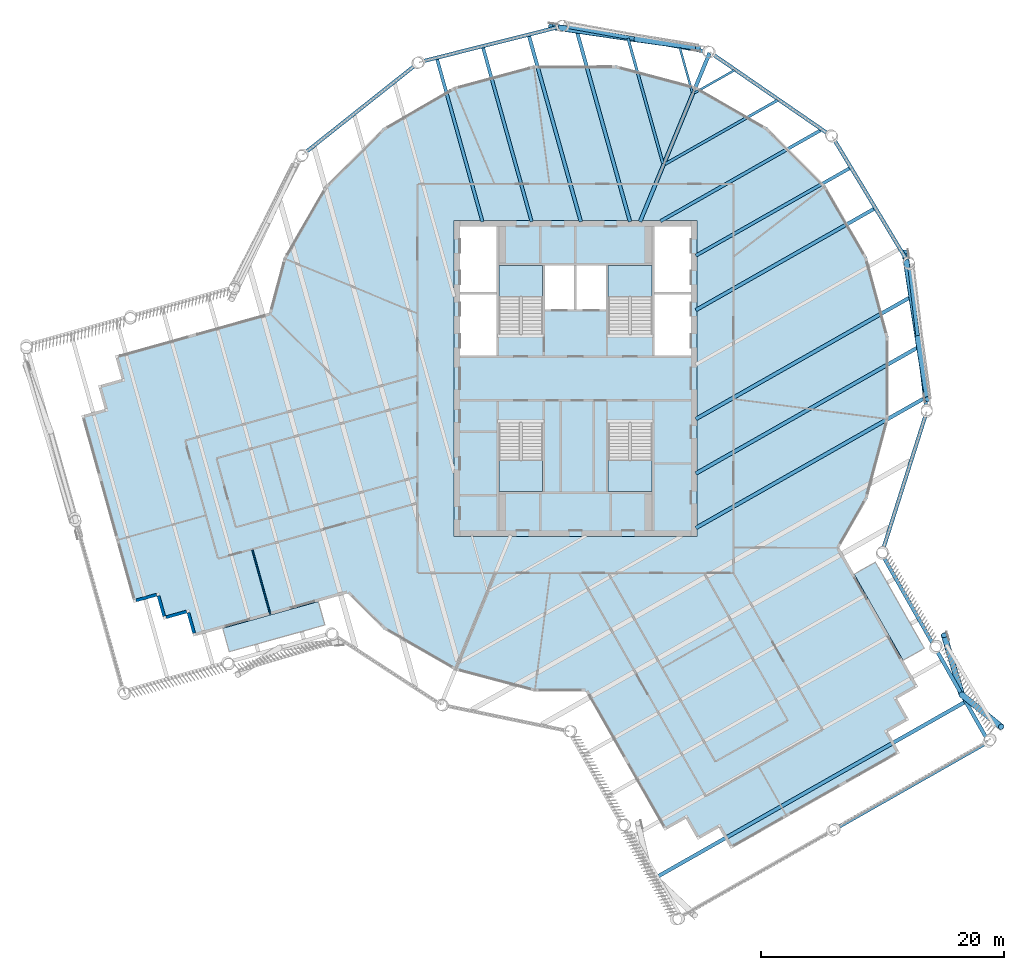
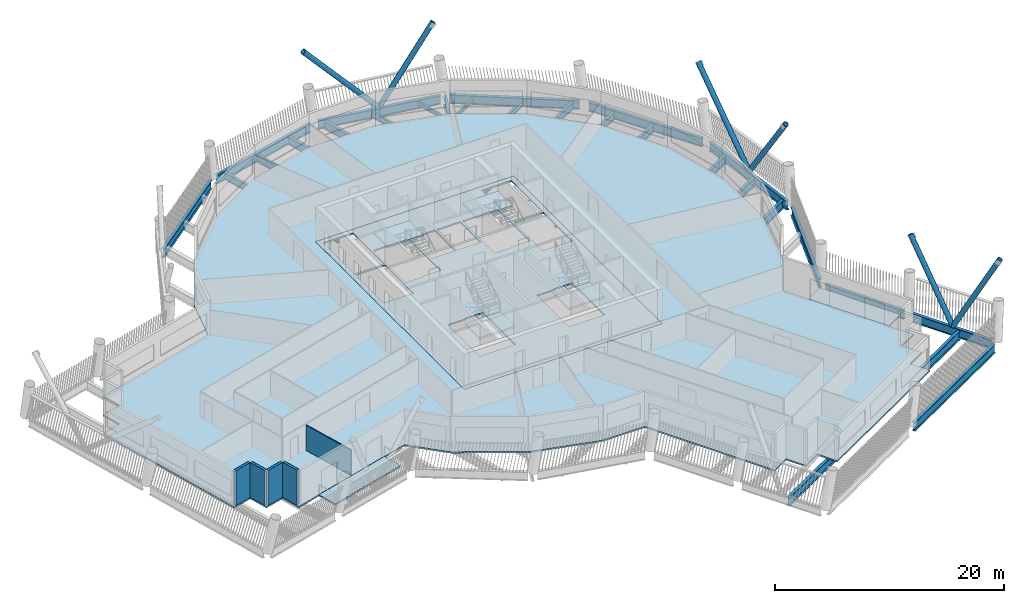
# One storey, part 2 of 21: 26 beams, 8 slabs, 6 members, 5 walls, 4 elements without a shape of their own.
"""IFC4 building model written with IfcOpenShell, lengths in metres."""

import ifcopenshell
import ifcopenshell.guid

model = None  # the IFC model being written
_history = None  # IfcOwnerHistory: only IFC2X3 demands one
_inside = {}  # id of a spatial element -> (the spatial element, [elements in it])
_under = {}  # id of a project, library or spatial element -> (it, [spatial elements below it])
_declared = {}  # id of a project -> (the project, [libraries it declares])
_typed = {}  # id of a type object -> (the type object, [elements of that type])
_made_of = {}  # id of a material, layer set ... -> (it, [elements and type objects made of it])


def new_model(schema):
    """Start an empty IFC model of exactly this schema.

    Asked for "IFC4X3", IfcOpenShell would pick the latest addendum, in which some entities
    have other attributes; the version numbers below select the first issue.
    IFC2X3 requires an IfcOwnerHistory on every rooted entity: one is made here for all.
    """
    global model, _history
    if schema == "IFC4X3":
        model = ifcopenshell.file(schema_version=(4, 3, 0, 0))
    else:
        model = ifcopenshell.file(schema=schema)
    _inside.clear()
    _under.clear()
    _declared.clear()
    _typed.clear()
    _made_of.clear()
    _history = None
    if model.schema == "IFC2X3":
        org = make("IfcOrganization", Name="unknown")
        user = make(
            "IfcPersonAndOrganization",
            ThePerson=make("IfcPerson", FamilyName="unknown"),
            TheOrganization=org,
        )
        app = make(
            "IfcApplication",
            ApplicationDeveloper=org,
            Version="unknown",
            ApplicationFullName="unknown",
            ApplicationIdentifier="unknown",
        )
        _history = make(
            "IfcOwnerHistory",
            OwningUser=user,
            OwningApplication=app,
            ChangeAction="ADDED",
            CreationDate=0,
        )
    return model


def make(cls, **values):
    """One entity of the class cls with the attributes given. An attribute that is None is left unset."""
    return model.create_entity(
        cls, **{name: value for name, value in values.items() if value is not None}
    )


def rooted(cls, **values):
    """An entity with a GlobalId (a new one), such as an element, a storey or a relation."""
    return make(cls, GlobalId=ifcopenshell.guid.new(), OwnerHistory=_history, **values)


def si_unit(unit_type, name, prefix=None):
    """IfcSIUnit, for example si_unit("LENGTHUNIT", "METRE", prefix="MILLI")."""
    return make("IfcSIUnit", UnitType=unit_type, Prefix=prefix, Name=name)


def assignment(units):
    """IfcUnitAssignment: the units of a project."""
    return None if units is None else make("IfcUnitAssignment", Units=units)


def point(xyz):
    """IfcCartesianPoint."""
    return None if xyz is None else make("IfcCartesianPoint", Coordinates=xyz)


def direction(xyz):
    """IfcDirection."""
    return None if xyz is None else make("IfcDirection", DirectionRatios=xyz)


def frame(location, z_axis=None, x_axis=None):
    """IfcAxis2Placement3D, a coordinate frame: its origin and axes. An axis left out is left unset."""
    return make(
        "IfcAxis2Placement3D",
        Location=point(location),
        Axis=direction(z_axis),
        RefDirection=direction(x_axis),
    )


def frame_2d(location, x_axis=None):
    """IfcAxis2Placement2D, a coordinate frame in the plane: its origin and x axis."""
    return make(
        "IfcAxis2Placement2D", Location=point(location), RefDirection=direction(x_axis)
    )


def origin():
    """The frame at (0, 0, 0) with its axes left unset."""
    return frame((0.0, 0.0, 0.0))


def origin_2d():
    """The frame at (0, 0) in the plane with its x axis left unset."""
    return frame_2d((0.0, 0.0))


def place(relative_to, where):
    """IfcLocalPlacement: puts the frame where relative to a parent placement (None: the world)."""
    return make(
        "IfcLocalPlacement", PlacementRelTo=relative_to, RelativePlacement=where
    )


def context(
    kind, dimensions, precision=None, world=None, true_north=None, identifier=None
):
    """IfcGeometricRepresentationContext, for example the 3D "Model" context."""
    return make(
        "IfcGeometricRepresentationContext",
        ContextIdentifier=identifier,
        ContextType=kind,
        CoordinateSpaceDimension=dimensions,
        Precision=precision,
        WorldCoordinateSystem=world,
        TrueNorth=true_north,
    )


def subcontext(parent, identifier, kind, view, scale=None):
    """IfcGeometricRepresentationSubContext, for example "Body" below "Model"."""
    return make(
        "IfcGeometricRepresentationSubContext",
        ContextIdentifier=identifier,
        ContextType=kind,
        ParentContext=parent,
        TargetScale=scale,
        TargetView=view,
    )


def project(units=None, contexts=None):
    """IfcProject with its units and contexts."""
    return rooted(
        "IfcProject",
        Name="project",
        RepresentationContexts=contexts,
        UnitsInContext=assignment(units),
    )


def spatial(cls, under=None, at=None, **own):
    """A site, building, storey or space (cls), placed at a placement, below another one or the project."""
    s = rooted(cls, ObjectPlacement=at, **own)
    if under is not None:
        _under.setdefault(under.id(), (under, []))[1].append(s)
    return s


def polyline(points):
    """IfcPolyline through the points."""
    return make("IfcPolyline", Points=[point(p) for p in points])


def profile(cls, at=None, kind="AREA", **sizes):
    """A parametric profile (cls). Its sizes go by their IFC names, for example OverallWidth=200.0."""
    return make(cls, ProfileType=kind, Position=at, **sizes)


def rectangle(**sizes):
    """IfcRectangleProfileDef."""
    return profile("IfcRectangleProfileDef", **sizes)


def hollow_circle(**sizes):
    """IfcCircleHollowProfileDef."""
    return profile("IfcCircleHollowProfileDef", **sizes)


def i_section(**sizes):
    """IfcIShapeProfileDef."""
    return profile("IfcIShapeProfileDef", **sizes)


def outline(outer, holes=None, kind="AREA"):
    """IfcArbitraryClosedProfileDef: a profile drawn as a closed curve; with holes, ...WithVoids."""
    if holes is None:
        return make("IfcArbitraryClosedProfileDef", ProfileType=kind, OuterCurve=outer)
    return make(
        "IfcArbitraryProfileDefWithVoids",
        ProfileType=kind,
        OuterCurve=outer,
        InnerCurves=holes,
    )


def extrude(swept, where, along, depth):
    """IfcExtrudedAreaSolid: the profile swept, set in the frame where, extruded along a direction by depth."""
    return make(
        "IfcExtrudedAreaSolid",
        SweptArea=swept,
        Position=where,
        ExtrudedDirection=direction(along),
        Depth=depth,
    )


def shape(context_of_items, identifier, shape_type, items):
    """IfcShapeRepresentation: the items that make up one representation, for example the "Body"."""
    return make(
        "IfcShapeRepresentation",
        ContextOfItems=context_of_items,
        RepresentationIdentifier=identifier,
        RepresentationType=shape_type,
        Items=items,
    )


def material(Name=None, Category=None):
    """IfcMaterial."""
    return make("IfcMaterial", Name=Name, Category=Category)


def layer(
    of_material, thickness, ventilated=None, Name=None, Category=None, Priority=None
):
    """IfcMaterialLayer: one layer of a wall or slab, of a material (None: an air gap)."""
    return make(
        "IfcMaterialLayer",
        Material=of_material,
        LayerThickness=thickness,
        IsVentilated=ventilated,
        Name=Name,
        Category=Category,
        Priority=Priority,
    )


def layer_set(layers, Name=None):
    """IfcMaterialLayerSet."""
    return make("IfcMaterialLayerSet", MaterialLayers=layers, LayerSetName=Name)


def material_profile(
    of_material, cross_section, Name=None, Category=None, Priority=None
):
    """IfcMaterialProfile: a cross section and its material."""
    return make(
        "IfcMaterialProfile",
        Name=Name,
        Material=of_material,
        Profile=cross_section,
        Priority=Priority,
        Category=Category,
    )


def profile_set(profiles, Name=None, composite=None):
    """IfcMaterialProfileSet."""
    return make(
        "IfcMaterialProfileSet",
        Name=Name,
        MaterialProfiles=profiles,
        CompositeProfile=composite,
    )


def made_of(thing, what):
    """Note that an element or type object is made of a material, layer set ...; save() writes the relation."""
    if what is not None:
        _made_of.setdefault(what.id(), (what, []))[1].append(thing)
    return thing


def type_object(cls, material=None, **own):
    """A type object (cls), such as IfcWallType, which elements share."""
    return made_of(rooted(cls, **own), material)


def element(
    cls,
    number,
    at=None,
    inside=None,
    cuts=None,
    type_object=None,
    material=None,
    context=None,
    identifier="Body",
    shape_type=None,
    held_by="IfcProductDefinitionShape",
    body=None,
    shapes=None,
    **own,
):
    """One element of the class cls, such as IfcWall. Its Tag is "e" and its number.

    at: its placement. inside: the storey or other place that contains it. cuts: it is an
    opening in that element (IfcRelVoidsElement). A single representation is given by context,
    identifier, shape_type and body (its items); several are given by shapes. held_by: the class
    of the entity that holds the representations. save() writes the other relations.
    """
    e = rooted(cls, Tag="e%d" % number, ObjectPlacement=at, **own)
    if body is not None:
        shapes = [shape(context, identifier, shape_type, body)]
    if shapes is not None:
        e.Representation = make(held_by, Representations=shapes)
    if inside is not None:
        _inside.setdefault(inside.id(), (inside, []))[1].append(e)
    if cuts is not None:
        rooted(
            "IfcRelVoidsElement", RelatingBuildingElement=cuts, RelatedOpeningElement=e
        )
    if type_object is not None:
        _typed.setdefault(type_object.id(), (type_object, []))[1].append(e)
    return made_of(e, material)


def aggregate(whole, parts):
    """IfcRelAggregates: a whole, such as a stair, and the parts it consists of."""
    return rooted("IfcRelAggregates", RelatingObject=whole, RelatedObjects=parts)


def save(model, path):
    """Write the relations noted so far, then the file.

    IfcRelAggregates (storeys below a building ...), IfcRelContainedInSpatialStructure (elements
    in a storey), IfcRelDefinesByType, IfcRelAssociatesMaterial and IfcRelDeclares: one each for
    every whole, place, type object, material and project.
    """
    for whole, parts in _under.values():
        aggregate(whole, parts)
    for where, things in _inside.values():
        rooted(
            "IfcRelContainedInSpatialStructure",
            RelatedElements=things,
            RelatingStructure=where,
        )
    for kind, things in _typed.values():
        rooted("IfcRelDefinesByType", RelatedObjects=things, RelatingType=kind)
    for what, things in _made_of.values():
        rooted("IfcRelAssociatesMaterial", RelatedObjects=things, RelatingMaterial=what)
    for by, libraries in _declared.values():
        rooted("IfcRelDeclares", RelatingContext=by, RelatedDefinitions=libraries)
    model.write(path)


model = new_model("IFC4")

# Units and contexts
model_context = context("Model", 3, precision=1e-05, world=origin(), true_north=direction((0.0, 1.0)))
body_context = subcontext(model_context, "Body", "Model", "MODEL_VIEW")
ifc_project = project(units=[si_unit("LENGTHUNIT", "METRE"), si_unit("AREAUNIT", "SQUARE_METRE"), si_unit("VOLUMEUNIT", "CUBIC_METRE"), si_unit("PLANEANGLEUNIT", "RADIAN"), si_unit("MASSUNIT", "GRAM", prefix="KILO")], contexts=[model_context])

# Site, building, storey
site_placement = place(None, origin())
site = spatial("IfcSite", under=ifc_project, at=site_placement, CompositionType="ELEMENT")
building_placement = place(site_placement, origin())
building = spatial("IfcBuilding", under=site, at=building_placement, Name="Tarsis Ring Headquarters", CompositionType="ELEMENT")
storey_placement = place(building_placement, frame((0.0, 0.0, 347.0)))
storey = spatial("IfcBuildingStorey", under=building, at=storey_placement, Name="L82", CompositionType="ELEMENT", Elevation=347.0)

# Beams
ifc_material_1 = material(Name="Structural steel S355", Category="steel")
ifc_material_profile_1 = material_profile(ifc_material_1, i_section(OverallWidth=0.177734375, OverallDepth=0.406494140625, WebThickness=0.0078125, FlangeThickness=0.0126953125, at=origin_2d()), Name="W16x40")
ifc_profile_set_1 = profile_set([ifc_material_profile_1], Name="Structural steel S355")
beam_type_1 = type_object("IfcBeamType", Name="FB Floor beam W16x40", PredefinedType="JOIST", material=ifc_profile_set_1)
for number, where, z_axis, x_axis, name in (
    (1, (9.78759765625, 23.501708984375, -0.36328125), (0.869511668925, 0.493912398715, 0.0), (-0.493912398715, 0.869511668925, 0.0), "Floor beam FB1"),
    (2, (8.591796875, 27.23779296875, -0.36328125), (0.268894482129, -0.963169641071, 0.0), (0.963169641071, 0.268894482129, 0.0), "Floor beam FB1"),
):
    element("IfcBeam", number, at=place(storey_placement, frame(where, z_axis=z_axis, x_axis=x_axis)), inside=storey, type_object=beam_type_1, Name=name, PredefinedType="JOIST", context=body_context, shape_type="SweptSolid", body=[
        extrude(i_section(OverallWidth=0.177734375, OverallDepth=0.406494140625, WebThickness=0.0078125, FlangeThickness=0.0126953125, at=origin_2d()), origin(), (0.0, 0.0, 1.0), 3.80517578125),
    ])
ifc_material_profile_2 = material_profile(ifc_material_1, i_section(OverallWidth=0.228271484375, OverallDepth=0.607177734375, WebThickness=0.01123046875, FlangeThickness=0.017333984375, at=origin_2d()), Name="W24x76")
ifc_profile_set_2 = profile_set([ifc_material_profile_2], Name="Structural steel S355")
beam_type_2 = type_object("IfcBeamType", Name="FB Floor beam W24x76", PredefinedType="JOIST", material=ifc_profile_set_2)
beam_1_placement = place(storey_placement, frame((7.373779296875, 17.64501953125, -0.463623046875), z_axis=(0.869496035094, 0.493939920391, 0.0), x_axis=(-0.493939920391, 0.869496035094, 0.0)))
element("IfcBeam", 3, at=beam_1_placement, inside=storey, type_object=beam_type_2, Name="Floor beam FB4", PredefinedType="JOIST", context=body_context, shape_type="SweptSolid", body=[
    extrude(i_section(OverallWidth=0.228271484375, OverallDepth=0.607177734375, WebThickness=0.01123046875, FlangeThickness=0.017333984375, at=origin_2d()), origin(), (0.0, 0.0, 1.0), 10.6845703125),
])
beam_2_placement = place(storey_placement, frame((4.32763671875, 28.00732421875, -0.463623046875), z_axis=(0.268934042056, -0.963158595987, 0.0), x_axis=(0.963158595987, 0.268934042056, 0.0)))
element("IfcBeam", 4, at=beam_2_placement, inside=storey, type_object=beam_type_2, Name="Floor beam FB4", PredefinedType="JOIST", context=body_context, shape_type="SweptSolid", body=[
    extrude(i_section(OverallWidth=0.228271484375, OverallDepth=0.607177734375, WebThickness=0.01123046875, FlangeThickness=0.017333984375, at=origin_2d()), origin(), (0.0, 0.0, 1.0), 10.684814453125),
])
ifc_material_profile_3 = material_profile(ifc_material_1, i_section(OverallWidth=0.2666015625, OverallDepth=0.7568359375, WebThickness=0.013916015625, FlangeThickness=0.019287109375, at=origin_2d()), Name="W30x108")
ifc_profile_set_3 = profile_set([ifc_material_profile_3], Name="Structural steel S355")
beam_type_3 = type_object("IfcBeamType", Name="FB Floor beam W30x108", PredefinedType="JOIST", material=ifc_profile_set_3)
beam_3_placement = place(storey_placement, frame((7.005859375, 12.95068359375, -0.538330078125), z_axis=(0.869498701432, 0.493935226734, 0.0), x_axis=(-0.493935226734, 0.869498701432, 0.0)))
element("IfcBeam", 5, at=beam_3_placement, inside=storey, type_object=beam_type_3, Name="Floor beam FB6", PredefinedType="JOIST", context=body_context, shape_type="SweptSolid", body=[
    extrude(i_section(OverallWidth=0.2666015625, OverallDepth=0.7568359375, WebThickness=0.013916015625, FlangeThickness=0.019287109375, at=origin_2d()), origin(), (0.0, 0.0, 1.0), 15.2109375),
])
beam_4_placement = place(storey_placement, frame((9.9130859375, 10.11669921875, -0.538330078125), z_axis=(0.869497110158, 0.493938027922, 0.0), x_axis=(-0.493938027922, 0.869497110158, 0.0)))
element("IfcBeam", 6, at=beam_4_placement, inside=storey, type_object=beam_type_3, Name="Floor beam FB6", PredefinedType="JOIST", context=body_context, shape_type="SweptSolid", body=[
    extrude(i_section(OverallWidth=0.2666015625, OverallDepth=0.7568359375, WebThickness=0.013916015625, FlangeThickness=0.019287109375, at=origin_2d()), origin(), (0.0, 0.0, 1.0), 14.632568359375),
])
beam_5_placement = place(storey_placement, frame((-7.6240234375, 27.3056640625, -0.538330078125), z_axis=(0.268926134514, -0.963160803903, 0.0), x_axis=(0.963160803903, 0.268926134514, 0.0)))
element("IfcBeam", 7, at=beam_5_placement, inside=storey, type_object=beam_type_3, Name="Floor beam FB6", PredefinedType="JOIST", context=body_context, shape_type="SweptSolid", body=[
    extrude(i_section(OverallWidth=0.2666015625, OverallDepth=0.7568359375, WebThickness=0.013916015625, FlangeThickness=0.019287109375, at=origin_2d()), origin(), (0.0, 0.0, 1.0), 14.952880859375),
])
beam_6_placement = place(storey_placement, frame((-11.407470703125, 26.3544921875, -0.538330078125), z_axis=(0.268923057661, -0.963161662992, 0.0), x_axis=(0.963161662992, 0.268923057661, 0.0)))
element("IfcBeam", 8, at=beam_6_placement, inside=storey, type_object=beam_type_3, Name="Floor beam FB6", PredefinedType="JOIST", context=body_context, shape_type="SweptSolid", body=[
    extrude(i_section(OverallWidth=0.2666015625, OverallDepth=0.7568359375, WebThickness=0.013916015625, FlangeThickness=0.019287109375, at=origin_2d()), origin(), (0.0, 0.0, 1.0), 13.96533203125),
])
ifc_material_profile_4 = material_profile(ifc_material_1, i_section(OverallWidth=0.2919921875, OverallDepth=0.835693359375, WebThickness=0.013916015625, FlangeThickness=0.018798828125, at=origin_2d()), Name="W33x118")
ifc_profile_set_4 = profile_set([ifc_material_profile_4], Name="Structural steel S355")
beam_type_4 = type_object("IfcBeamType", Name="FB Floor beam W33x118", PredefinedType="JOIST", material=ifc_profile_set_4)
beam_7_placement = place(storey_placement, frame((9.9130859375, 5.63134765625, -0.577880859375), z_axis=(0.869491989023, 0.493947042734, 0.0), x_axis=(-0.493947042734, 0.869491989023, 0.0)))
element("IfcBeam", 9, at=beam_7_placement, inside=storey, type_object=beam_type_4, Name="Floor beam FB7", PredefinedType="JOIST", context=body_context, shape_type="SweptSolid", body=[
    extrude(i_section(OverallWidth=0.2919921875, OverallDepth=0.835693359375, WebThickness=0.013916015625, FlangeThickness=0.018798828125, at=origin_2d()), origin(), (0.0, 0.0, 1.0), 16.94921875),
])
beam_8_placement = place(storey_placement, frame((0.063720703125, 28.776611328125, -0.577880859375), z_axis=(0.268922660304, -0.963161773938, 0.0), x_axis=(0.963161773938, 0.268922660304, 0.0)))
element("IfcBeam", 10, at=beam_8_placement, inside=storey, type_object=beam_type_4, Name="Floor beam FB7", PredefinedType="JOIST", context=body_context, shape_type="SweptSolid", body=[
    extrude(i_section(OverallWidth=0.2919921875, OverallDepth=0.835693359375, WebThickness=0.013916015625, FlangeThickness=0.018798828125, at=origin_2d()), origin(), (0.0, 0.0, 1.0), 16.480224609375),
])
beam_9_placement = place(storey_placement, frame((-3.84033203125, 28.257080078125, -0.577880859375), z_axis=(0.268910655115, -0.963165125804, 0.0), x_axis=(0.963165125804, 0.268910655115, 0.0)))
element("IfcBeam", 11, at=beam_9_placement, inside=storey, type_object=beam_type_4, Name="Floor beam FB7", PredefinedType="JOIST", context=body_context, shape_type="SweptSolid", body=[
    extrude(i_section(OverallWidth=0.2919921875, OverallDepth=0.835693359375, WebThickness=0.013916015625, FlangeThickness=0.018798828125, at=origin_2d()), origin(), (0.0, 0.0, 1.0), 15.940673828125),
])
ifc_material_profile_5 = material_profile(ifc_material_1, i_section(OverallWidth=0.3046875, OverallDepth=0.904296875, WebThickness=0.01513671875, FlangeThickness=0.02001953125, at=origin_2d()), Name="W36x135")
ifc_profile_set_5 = profile_set([ifc_material_profile_5], Name="Structural steel S355")
beam_type_5 = type_object("IfcBeamType", Name="FB Floor beam W36x135", PredefinedType="JOIST", material=ifc_profile_set_5)
beam_10_placement = place(storey_placement, frame((9.9130859375, -3.33935546875, -0.612060546875), z_axis=(0.869491334197, 0.493948195417, 0.0), x_axis=(-0.493948195417, 0.869491334197, 0.0)))
element("IfcBeam", 12, at=beam_10_placement, inside=storey, type_object=beam_type_5, Name="Floor beam FB8", PredefinedType="JOIST", context=body_context, shape_type="SweptSolid", body=[
    extrude(i_section(OverallWidth=0.3046875, OverallDepth=0.904296875, WebThickness=0.01513671875, FlangeThickness=0.02001953125, at=origin_2d()), origin(), (0.0, 0.0, 1.0), 20.4892578125),
])
beam_11_placement = place(storey_placement, frame((9.9130859375, -7.82470703125, -0.612060546875), z_axis=(0.869494463653, 0.493942686632, 0.0), x_axis=(-0.493942686632, 0.869494463653, 0.0)))
element("IfcBeam", 13, at=beam_11_placement, inside=storey, type_object=beam_type_5, Name="Floor beam FB8", PredefinedType="JOIST", context=body_context, shape_type="SweptSolid", body=[
    extrude(i_section(OverallWidth=0.3046875, OverallDepth=0.904296875, WebThickness=0.01513671875, FlangeThickness=0.02001953125, at=origin_2d()), origin(), (0.0, 0.0, 1.0), 21.060791015625),
])
ifc_material_profile_6 = material_profile(ifc_material_1, i_section(OverallWidth=0.3046875, OverallDepth=0.91943359375, WebThickness=0.017333984375, FlangeThickness=0.02783203125, at=origin_2d()), Name="W36x170")
ifc_profile_set_6 = profile_set([ifc_material_profile_6], Name="Structural steel S355")
beam_type_6 = type_object("IfcBeamType", Name="FB Floor beam W36x170", PredefinedType="JOIST", material=ifc_profile_set_6)
beam_12_placement = place(storey_placement, frame((9.9130859375, -12.31005859375, -0.61962890625), z_axis=(0.869497427694, 0.493937468952, 0.0), x_axis=(-0.493937468952, 0.869497427694, 0.0)))
element("IfcBeam", 14, at=beam_12_placement, inside=storey, type_object=beam_type_6, Name="Floor beam FB9", PredefinedType="JOIST", context=body_context, shape_type="SweptSolid", body=[
    extrude(i_section(OverallWidth=0.3046875, OverallDepth=0.91943359375, WebThickness=0.017333984375, FlangeThickness=0.02783203125, at=origin_2d()), origin(), (0.0, 0.0, 1.0), 21.63232421875),
])
ifc_material_profile_7 = material_profile(ifc_material_1, i_section(OverallWidth=0.309814453125, OverallDepth=0.949951171875, WebThickness=0.0244140625, FlangeThickness=0.0439453125, at=origin_2d()), Name="W36x256")
ifc_profile_set_7 = profile_set([ifc_material_profile_7], Name="Structural steel S355")
beam_type_7 = type_object("IfcBeamType", Name="FB Floor beam W36x256", PredefinedType="JOIST", material=ifc_profile_set_7)
beam_13_placement = place(storey_placement, frame((6.44287109375, -41.193603515625, -0.635009765625), z_axis=(0.869495669198, 0.493940564488, 0.0), x_axis=(-0.493940564488, 0.869495669198, 0.0)))
element("IfcBeam", 15, at=beam_13_placement, inside=storey, type_object=beam_type_7, Name="Floor beam FB11", PredefinedType="JOIST", context=body_context, shape_type="SweptSolid", body=[
    extrude(i_section(OverallWidth=0.309814453125, OverallDepth=0.949951171875, WebThickness=0.0244140625, FlangeThickness=0.0439453125, at=origin_2d()), origin(), (0.0, 0.0, 1.0), 29.490234375),
])
beam_type_8 = type_object("IfcBeamType", Name="FB Floor beam W36x256 spine", PredefinedType="BEAM", material=ifc_profile_set_7)
beam_14_placement = place(storey_placement, frame((11.047119140625, 26.802490234375, -0.635009765625), z_axis=(-0.381066793688, -0.924547510271, 0.0), x_axis=(0.924547510271, -0.381066793688, 0.0)))
element("IfcBeam", 16, at=beam_14_placement, inside=storey, type_object=beam_type_8, Name="Floor beam SB11", PredefinedType="BEAM", context=body_context, shape_type="SweptSolid", body=[
    extrude(i_section(OverallWidth=0.309814453125, OverallDepth=0.949951171875, WebThickness=0.0244140625, FlangeThickness=0.0439453125, at=origin_2d()), origin(), (0.0, 0.0, 1.0), 15.029052734375),
])

# Members
ifc_material_profile_8 = material_profile(ifc_material_1, hollow_circle(Radius=0.25390625, WallThickness=0.02001953125, at=origin_2d()), Name="CHS 508x20")
ifc_profile_set_8 = profile_set([ifc_material_profile_8], Name="Structural steel S355")
member_type = type_object("IfcMemberType", Name="XD X brace CHS 508x20", PredefinedType="BRACE", material=ifc_profile_set_8)
member_1_placement = place(storey_placement, frame((31.810546875, -26.033935546875, 0.0), z_axis=(-0.162239102059, 0.546057148806, 0.821888109174), x_axis=(-0.958585354351, -0.284805404484, 0.0)))
element("IfcMember", 17, at=member_1_placement, inside=storey, type_object=member_type, Name="X brace XD2", PredefinedType="BRACE", context=body_context, shape_type="SweptSolid", body=[
    extrude(hollow_circle(Radius=0.25390625, WallThickness=0.02001953125, at=origin_2d()), origin(), (0.0, 0.0, 1.0), 8.97314453125),
])
member_2_placement = place(storey_placement, frame((31.810546875, -26.033935546875, 0.0), z_axis=(0.372384377971, -0.30415228338, 0.876824534076), x_axis=(0.632582449193, 0.774493024483, 0.0)))
element("IfcMember", 18, at=member_2_placement, inside=storey, type_object=member_type, Name="X brace XD2", PredefinedType="BRACE", context=body_context, shape_type="SweptSolid", body=[
    extrude(hollow_circle(Radius=0.25390625, WallThickness=0.02001953125, at=origin_2d()), origin(), (0.0, 0.0, 1.0), 8.69482421875),
])
member_3_placement = place(storey_placement, frame((28.198974609375, 3.33447265625, 0.0), z_axis=(-0.101926314709, 0.668252815058, 0.73691872112), x_axis=(-0.988566926609, -0.150782729832, 0.0)))
element("IfcMember", 19, at=member_3_placement, inside=storey, type_object=member_type, Name="X brace XD2", PredefinedType="BRACE", context=body_context, shape_type="SweptSolid", body=[
    extrude(hollow_circle(Radius=0.25390625, WallThickness=0.02001953125, at=origin_2d()), origin(), (0.0, 0.0, 1.0), 10.584716796875),
])
member_4_placement = place(storey_placement, frame((28.198974609375, 3.33447265625, 0.0), z_axis=(0.085878241336, -0.540008251743, 0.837266991893), x_axis=(0.987589431374, 0.157057680608, 0.0)))
element("IfcMember", 20, at=member_4_placement, inside=storey, type_object=member_type, Name="X brace XD2", PredefinedType="BRACE", context=body_context, shape_type="SweptSolid", body=[
    extrude(hollow_circle(Radius=0.25390625, WallThickness=0.02001953125, at=origin_2d()), origin(), (0.0, 0.0, 1.0), 9.316162109375),
])
member_5_placement = place(storey_placement, frame((5.04248046875, 27.9443359375, 0.0), z_axis=(-0.668900684681, 0.0975672378, 0.736920964651), x_axis=(-0.144334735615, -0.989528920292, 0.0)))
element("IfcMember", 21, at=member_5_placement, inside=storey, type_object=member_type, Name="X brace XD2", PredefinedType="BRACE", context=body_context, shape_type="SweptSolid", body=[
    extrude(hollow_circle(Radius=0.25390625, WallThickness=0.02001953125, at=origin_2d()), origin(), (0.0, 0.0, 1.0), 10.584716796875),
])
member_6_placement = place(storey_placement, frame((5.04248046875, 27.9443359375, 0.0), z_axis=(0.541535499916, -0.075527744423, 0.837278246555), x_axis=(0.138132617305, 0.990413741845, 0.0)))
element("IfcMember", 22, at=member_6_placement, inside=storey, type_object=member_type, Name="X brace XD2", PredefinedType="BRACE", context=body_context, shape_type="SweptSolid", body=[
    extrude(hollow_circle(Radius=0.25390625, WallThickness=0.02001953125, at=origin_2d()), origin(), (0.0, 0.0, 1.0), 9.31591796875),
])

# Beams
ifc_material_profile_9 = material_profile(ifc_material_1, i_section(OverallWidth=0.309814453125, OverallDepth=0.93212890625, WebThickness=0.02099609375, FlangeThickness=0.034423828125, at=origin_2d()), Name="W36x210")
ifc_profile_set_9 = profile_set([ifc_material_profile_9], Name="Structural steel S355")
beam_type_9 = type_object("IfcBeamType", Name="XG Ring girder W36x210", PredefinedType="BEAM", material=ifc_profile_set_9)
beam_15_placement = place(storey_placement, frame((21.518310546875, -36.999755859375, -0.466064453125), z_axis=(0.869501032573, 0.493931123087, 0.0), x_axis=(-0.493931123087, 0.869501032573, 0.0)))
element("IfcBeam", 23, at=beam_15_placement, inside=storey, type_object=beam_type_9, Name="Ring girder XG3", PredefinedType="BEAM", context=body_context, shape_type="SweptSolid", body=[
    extrude(i_section(OverallWidth=0.309814453125, OverallDepth=0.93212890625, WebThickness=0.02099609375, FlangeThickness=0.034423828125, at=origin_2d()), origin(), (0.0, 0.0, 1.0), 13.931396484375),
])
for number, where, z_axis, x_axis, name in (
    (24, (33.794677734375, -29.5263671875, -0.466064453125), (-0.493934741114, 0.869498977297, 0.0), (-0.869498977297, -0.493934741114, 0.0), "Ring girder XG3"),
    (25, (29.3974609375, -21.785888671875, -0.466064453125), (-0.493934741114, 0.869498977297, 0.0), (-0.869498977297, -0.493934741114, 0.0), "Ring girder XG3"),
):
    element("IfcBeam", number, at=place(storey_placement, frame(where, z_axis=z_axis, x_axis=x_axis)), inside=storey, type_object=beam_type_9, Name=name, PredefinedType="BEAM", context=body_context, shape_type="SweptSolid", body=[
        extrude(i_section(OverallWidth=0.309814453125, OverallDepth=0.93212890625, WebThickness=0.02099609375, FlangeThickness=0.034423828125, at=origin_2d()), origin(), (0.0, 0.0, 1.0), 8.033447265625),
    ])
beam_16_placement = place(storey_placement, frame((25.34619140625, -14.009033203125, -0.466064453125), z_axis=(0.302343704669, 0.953198974111, 0.0), x_axis=(-0.953198974111, 0.302343704669, 0.0)))
element("IfcBeam", 26, at=beam_16_placement, inside=storey, type_object=beam_type_9, Name="Ring girder XG3", PredefinedType="BEAM", context=body_context, shape_type="SweptSolid", body=[
    extrude(i_section(OverallWidth=0.309814453125, OverallDepth=0.93212890625, WebThickness=0.02099609375, FlangeThickness=0.034423828125, at=origin_2d()), origin(), (0.0, 0.0, 1.0), 11.380126953125),
])
beam_17_placement = place(storey_placement, frame((28.8671875, -2.316162109375, -0.466064453125), z_axis=(-0.117415054514, 0.993082929555, 0.0), x_axis=(-0.993082929555, -0.117415054514, 0.0)))
element("IfcBeam", 27, at=beam_17_placement, inside=storey, type_object=beam_type_9, Name="Ring girder XG3", PredefinedType="BEAM", context=body_context, shape_type="SweptSolid", body=[
    extrude(i_section(OverallWidth=0.309814453125, OverallDepth=0.93212890625, WebThickness=0.02099609375, FlangeThickness=0.034423828125, at=origin_2d()), origin(), (0.0, 0.0, 1.0), 11.3798828125),
])
for number, where, z_axis, x_axis, name in (
    (28, (27.255615234375, 9.78857421875, -0.466064453125), (-0.516333862022, 0.856387379011, 0.0), (-0.856387379011, -0.516333862022, 0.0), "Ring girder XG3"),
    (29, (20.7978515625, 20.15283203125, -0.466064453125), (-0.823416719691, 0.567437138133, 0.0), (-0.567437138133, -0.823416719691, 0.0), "Ring girder XG3"),
    (30, (10.64208984375, 26.933837890625, -0.466064453125), (-0.984108277968, 0.177569415259, 0.0), (-0.177569415259, -0.984108277968, 0.0), "Ring girder XG3"),
):
    element("IfcBeam", number, at=place(storey_placement, frame(where, z_axis=z_axis, x_axis=x_axis)), inside=storey, type_object=beam_type_9, Name=name, PredefinedType="BEAM", context=body_context, shape_type="SweptSolid", body=[
        extrude(i_section(OverallWidth=0.309814453125, OverallDepth=0.93212890625, WebThickness=0.02099609375, FlangeThickness=0.034423828125, at=origin_2d()), origin(), (0.0, 0.0, 1.0), 11.380126953125),
    ])
beam_18_placement = place(storey_placement, frame((-1.40576171875, 28.926025390625, -0.466064453125), z_axis=(-0.969812243548, -0.243852849612, 0.0), x_axis=(0.243852849612, -0.969812243548, 0.0)))
element("IfcBeam", 31, at=beam_18_placement, inside=storey, type_object=beam_type_9, Name="Ring girder XG3", PredefinedType="BEAM", context=body_context, shape_type="SweptSolid", body=[
    extrude(i_section(OverallWidth=0.309814453125, OverallDepth=0.93212890625, WebThickness=0.02099609375, FlangeThickness=0.034423828125, at=origin_2d()), origin(), (0.0, 0.0, 1.0), 11.38037109375),
])
beam_19_placement = place(storey_placement, frame((-13.203857421875, 25.77490234375, -0.466064453125), z_axis=(-0.783078274247, -0.621923159564, 0.0), x_axis=(0.621923159564, -0.783078274247, 0.0)))
element("IfcBeam", 32, at=beam_19_placement, inside=storey, type_object=beam_type_9, Name="Ring girder XG3", PredefinedType="BEAM", context=body_context, shape_type="SweptSolid", body=[
    extrude(i_section(OverallWidth=0.309814453125, OverallDepth=0.93212890625, WebThickness=0.02099609375, FlangeThickness=0.034423828125, at=origin_2d()), origin(), (0.0, 0.0, 1.0), 11.380126953125),
])

# Slabs
ifc_material_2 = material(Name="Concrete C40/50", Category="concrete")
ifc_layer_1 = layer(ifc_material_2, 0.159912109375)
ifc_layer_set_1 = layer_set([ifc_layer_1], Name="Balcony slab concrete C40/50")
slab_type_1 = type_object("IfcSlabType", Name="Balcony slab concrete C40/50", PredefinedType="FLOOR", material=ifc_layer_set_1)
slab_1_placement = place(storey_placement, frame((0.0, 0.0, -0.159912109375)))
element("IfcSlab", 33, at=slab_1_placement, inside=storey, type_object=slab_type_1, Name="Balcony slab L82-01", PredefinedType="FLOOR", context=body_context, shape_type="SweptSolid", body=[
    extrude(outline(polyline([(-29.038818359375, -20.566650390625), (-28.5009765625, -22.4931640625), (-20.630126953125, -20.29541015625), (-21.16796875, -18.369140625), (-29.038818359375, -20.566650390625)])), origin(), (0.0, 0.0, 1.0), 0.159912109375),
])
slab_2_placement = place(storey_placement, frame((0.0, 0.0, -0.159912109375)))
element("IfcSlab", 34, at=slab_2_placement, inside=storey, type_object=slab_type_1, Name="Balcony slab L82-16", PredefinedType="FLOOR", context=body_context, shape_type="SweptSolid", body=[
    extrude(outline(polyline([(26.98095703125, -23.20068359375), (28.719970703125, -22.212890625), (24.693603515625, -15.12548828125), (22.954833984375, -16.11328125), (26.98095703125, -23.20068359375)])), origin(), (0.0, 0.0, 1.0), 0.159912109375),
])
ifc_layer_2 = layer(ifc_material_2, 0.159912109375)
ifc_layer_set_2 = layer_set([ifc_layer_2], Name="Core floor slab 160 C40/50")
slab_type_2 = type_object("IfcSlabType", Name="Core floor slab 160 C40/50", PredefinedType="FLOOR", material=ifc_layer_set_2)
slab_3_placement = place(storey_placement, frame((0.0, 0.0, -0.159912109375)))
element("IfcSlab", 35, at=slab_3_placement, inside=storey, type_object=slab_type_2, Name="L82 core floor slab", PredefinedType="FLOOR", context=body_context, shape_type="SweptSolid", body=[
    extrude(outline(polyline([(-10.0, -13.0), (10.0, -13.0), (10.0, 13.0), (-10.0, 13.0), (-10.0, -13.0)]), holes=[polyline([(-2.5, 5.699951171875), (-0.10009765625, 5.699951171875), (-0.10009765625, 9.300048828125), (-2.5, 9.300048828125), (-2.5, 5.699951171875)]), polyline([(0.10009765625, 5.699951171875), (2.5, 5.699951171875), (2.5, 9.300048828125), (0.10009765625, 9.300048828125), (0.10009765625, 5.699951171875)]), polyline([(-9.5, 1.89990234375), (-6.5, 1.89990234375), (-6.5, 6.89990234375), (-9.5, 6.89990234375), (-9.5, 1.89990234375)]), polyline([(-9.5, 7.10009765625), (-6.5, 7.10009765625), (-6.5, 12.5), (-9.5, 12.5), (-9.5, 7.10009765625)]), polyline([(6.5, 1.89990234375), (9.5, 1.89990234375), (9.5, 6.89990234375), (6.5, 6.89990234375), (6.5, 1.89990234375)]), polyline([(6.5, 7.10009765625), (9.5, 7.10009765625), (9.5, 12.5), (6.5, 12.5), (6.5, 7.10009765625)]), polyline([(-2.699951171875, 3.760009765625), (-2.699951171875, 9.300048828125), (-6.300048828125, 9.300048828125), (-6.300048828125, 3.659912109375), (-4.4599609375, 3.659912109375), (-4.4599609375, 3.760009765625), (-2.699951171875, 3.760009765625)]), polyline([(6.300048828125, 3.760009765625), (6.300048828125, 9.300048828125), (2.699951171875, 9.300048828125), (2.699951171875, 3.659912109375), (4.5400390625, 3.659912109375), (4.5400390625, 3.760009765625), (6.300048828125, 3.760009765625)]), polyline([(-6.300048828125, -3.760009765625), (-6.300048828125, -9.300048828125), (-2.699951171875, -9.300048828125), (-2.699951171875, -3.659912109375), (-4.5400390625, -3.659912109375), (-4.5400390625, -3.760009765625), (-6.300048828125, -3.760009765625)]), polyline([(2.699951171875, -3.760009765625), (2.699951171875, -9.300048828125), (6.300048828125, -9.300048828125), (6.300048828125, -3.659912109375), (4.4599609375, -3.659912109375), (4.4599609375, -3.760009765625), (2.699951171875, -3.760009765625)])]), origin(), (0.0, 0.0, 1.0), 0.159912109375),
])

# Stair, slab
ifc_material_3 = material(Name="Core stair 1760")
stair_type = type_object("IfcStairType", Name="Core stair 1760", PredefinedType="HALF_TURN_STAIR", material=ifc_material_3)
stair_1_placement = place(storey_placement, origin())
stair_1 = element("IfcStair", 36, at=stair_1_placement, inside=storey, type_object=stair_type, Name="L82 Firefighting stair", PredefinedType="HALF_TURN_STAIR")
ifc_layer_3 = layer(ifc_material_2, 0.199951171875)
ifc_layer_set_3 = layer_set([ifc_layer_3], Name="Core stair landing 200")
slab_type_3 = type_object("IfcSlabType", Name="Core stair landing 200", PredefinedType="LANDING", material=ifc_layer_set_3)
slab_4_placement = place(storey_placement, frame((0.0, 0.0, 1.75)))
slab_4 = element("IfcSlab", 37, at=slab_4_placement, type_object=slab_type_3, Name="Stair ST1 landing 1", PredefinedType="LANDING", context=body_context, shape_type="SweptSolid", body=[
    extrude(outline(polyline([(-2.699951171875, 6.739990234375), (-2.699951171875, 9.300048828125), (-6.300048828125, 9.300048828125), (-6.300048828125, 6.739990234375), (-2.699951171875, 6.739990234375)])), origin(), (0.0, 0.0, 1.0), 0.199951171875),
])
aggregate(stair_1, [slab_4])

stair_2_placement = place(storey_placement, origin())
stair_2 = element("IfcStair", 38, at=stair_2_placement, inside=storey, type_object=stair_type, Name="L82 Exit stair B", PredefinedType="HALF_TURN_STAIR")
slab_5_placement = place(storey_placement, frame((0.0, 0.0, 1.75)))
slab_5 = element("IfcSlab", 39, at=slab_5_placement, type_object=slab_type_3, Name="Stair ST2 landing 1", PredefinedType="LANDING", context=body_context, shape_type="SweptSolid", body=[
    extrude(outline(polyline([(6.300048828125, 6.739990234375), (6.300048828125, 9.300048828125), (2.699951171875, 9.300048828125), (2.699951171875, 6.739990234375), (6.300048828125, 6.739990234375)])), origin(), (0.0, 0.0, 1.0), 0.199951171875),
])
aggregate(stair_2, [slab_5])

stair_3_placement = place(storey_placement, origin())
stair_3 = element("IfcStair", 40, at=stair_3_placement, inside=storey, type_object=stair_type, Name="L82 Exit stair C", PredefinedType="HALF_TURN_STAIR")
slab_6_placement = place(storey_placement, frame((0.0, 0.0, 1.75)))
slab_6 = element("IfcSlab", 41, at=slab_6_placement, type_object=slab_type_3, Name="Stair ST3 landing 1", PredefinedType="LANDING", context=body_context, shape_type="SweptSolid", body=[
    extrude(outline(polyline([(-6.300048828125, -6.739990234375), (-6.300048828125, -9.300048828125), (-2.699951171875, -9.300048828125), (-2.699951171875, -6.739990234375), (-6.300048828125, -6.739990234375)])), origin(), (0.0, 0.0, 1.0), 0.199951171875),
])
aggregate(stair_3, [slab_6])

stair_4_placement = place(storey_placement, origin())
stair_4 = element("IfcStair", 42, at=stair_4_placement, inside=storey, type_object=stair_type, Name="L82 Exit stair D", PredefinedType="HALF_TURN_STAIR")
slab_7_placement = place(storey_placement, frame((0.0, 0.0, 1.75)))
slab_7 = element("IfcSlab", 43, at=slab_7_placement, type_object=slab_type_3, Name="Stair ST4 landing 1", PredefinedType="LANDING", context=body_context, shape_type="SweptSolid", body=[
    extrude(outline(polyline([(2.699951171875, -6.739990234375), (2.699951171875, -9.300048828125), (6.300048828125, -9.300048828125), (6.300048828125, -6.739990234375), (2.699951171875, -6.739990234375)])), origin(), (0.0, 0.0, 1.0), 0.199951171875),
])
aggregate(stair_4, [slab_7])

# Slab
ifc_material_4 = material(Name="Concrete C35/45", Category="concrete")
ifc_layer_4 = layer(ifc_material_4, 0.159912109375)
ifc_layer_set_4 = layer_set([ifc_layer_4], Name="FS Composite floor slab 160")
slab_type_4 = type_object("IfcSlabType", Name="FS Composite floor slab 160", PredefinedType="FLOOR", material=ifc_layer_set_4)
slab_8_placement = place(storey_placement, frame((0.0, 0.0, -0.159912109375)))
element("IfcSlab", 44, at=slab_8_placement, inside=storey, type_object=slab_type_4, Name="Floor slab L82", PredefinedType="FLOOR", context=body_context, shape_type="SweptSolid", body=[
    extrude(outline(polyline([(-18.760009765625, -17.69677734375), (-15.791748046875, -20.65478515625), (-9.90771484375, -24.0380859375), (-3.3486328125, -25.783447265625), (0.841796875, -25.776123046875), (7.347900390625, -37.22900390625), (9.0869140625, -36.2412109375), (10.074951171875, -37.980224609375), (11.813720703125, -36.992431640625), (12.8017578125, -38.7314453125), (26.713623046875, -30.828369140625), (25.725830078125, -29.08935546875), (27.46484375, -28.101318359375), (26.476806640625, -26.3623046875), (28.2158203125, -25.37451171875), (21.719970703125, -13.939453125), (24.0380859375, -9.90771484375), (25.783447265625, -3.3486328125), (25.771484375, 3.438720703125), (24.00341796875, 9.99169921875), (20.599609375, 15.86376953125), (15.791748046875, 20.65478515625), (9.90771484375, 24.0380859375), (3.3486328125, 25.783447265625), (-3.438720703125, 25.771484375), (-9.99169921875, 24.00341796875), (-15.86376953125, 20.599609375), (-20.65478515625, 15.791748046875), (-24.0380859375, 9.90771484375), (-25.234130859375, 5.41357421875), (-37.90087890625, 1.876953125), (-37.363037109375, -0.049560546875), (-39.289306640625, -0.58740234375), (-38.75146484375, -2.513671875), (-40.677978515625, -3.051513671875), (-36.375244140625, -18.462158203125), (-34.44873046875, -17.92431640625), (-33.910888671875, -19.8505859375), (-31.984619140625, -19.312744140625), (-31.44677734375, -21.239013671875), (-18.760009765625, -17.69677734375)]), holes=[polyline([(-10.0, -13.0), (-10.0, 13.0), (10.0, 13.0), (10.0, -13.0), (-10.0, -13.0)])]), origin(), (0.0, 0.0, 1.0), 0.159912109375),
])

# Walls
ifc_material_5 = material(Name="Gypsum board on steel studs", Category="steel")
ifc_layer_5 = layer(ifc_material_5, 0.10009765625)
ifc_layer_set_5 = layer_set([ifc_layer_5], Name="FL partition 100 unrated")
wall_type_1 = type_object("IfcWallType", Name="FL partition 100 unrated", PredefinedType="PARTITIONING", material=ifc_layer_set_5)
wall_placement = place(storey_placement, frame((-26.592041015625, -14.121337890625, 0.0), z_axis=(0.0, 0.0, 1.0), x_axis=(0.268911977829, -0.963164756509, 0.0)))
element("IfcWall", 45, at=wall_placement, inside=storey, type_object=wall_type_1, Name="Partition PW3", PredefinedType="PARTITIONING", context=body_context, shape_type="SweptSolid", body=[
    extrude(rectangle(XDim=5.5, YDim=0.10009765625, at=frame_2d((2.75, 0.0))), origin(), (0.0, 0.0, 1.0), 2.699951171875),
])
ifc_material_6 = material(Name="Terracotta clad insulated panel wall", Category="masonry")
ifc_layer_6 = layer(ifc_material_6, 0.25)
ifc_layer_set_6 = layer_set([ifc_layer_6], Name="Facade wall terracotta panel 250")
wall_type_2 = type_object("IfcWallType", Name="Facade wall terracotta panel 250", PredefinedType="STANDARD", material=ifc_layer_set_6)
for number, where, z_axis, x_axis, name in (
    (46, (-36.16796875, -18.2744140625, 0.0), (0.0, 0.0, 1.0), (0.963185380444, 0.268838097931, 0.0), "External wall L82-37"),
    (47, (-34.328369140625, -17.890625, 0.0), (0.0, 0.0, 1.0), (0.268838097931, -0.963185380444, 0.0), "External wall L82-38"),
    (48, (-33.703857421875, -19.662841796875, 0.0), (0.0, 0.0, 1.0), (0.963185380444, 0.268838097931, 0.0), "External wall L82-39"),
    (49, (-31.8642578125, -19.279052734375, 0.0), (0.0, 0.0, 1.0), (0.268967518834, -0.963149247942, 0.0), "External wall L82-40"),
):
    element("IfcWall", number, at=place(storey_placement, frame(where, z_axis=z_axis, x_axis=x_axis)), inside=storey, type_object=wall_type_2, Name=name, PredefinedType="STANDARD", context=body_context, shape_type="SweptSolid", body=[
        extrude(rectangle(XDim=1.75, YDim=0.25, at=frame_2d((0.875, 0.0))), origin(), (0.0, 0.0, 1.0), 3.739990234375),
    ])

save(model, "model.ifc")
